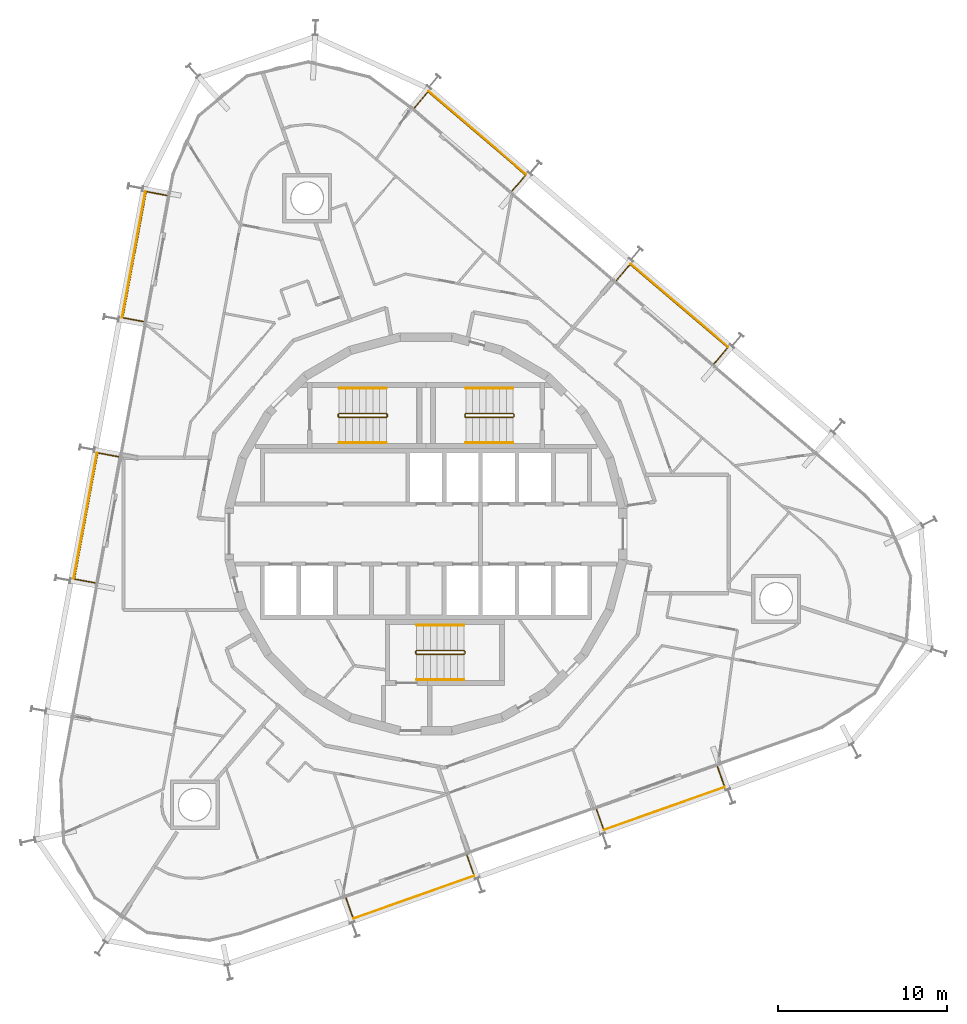
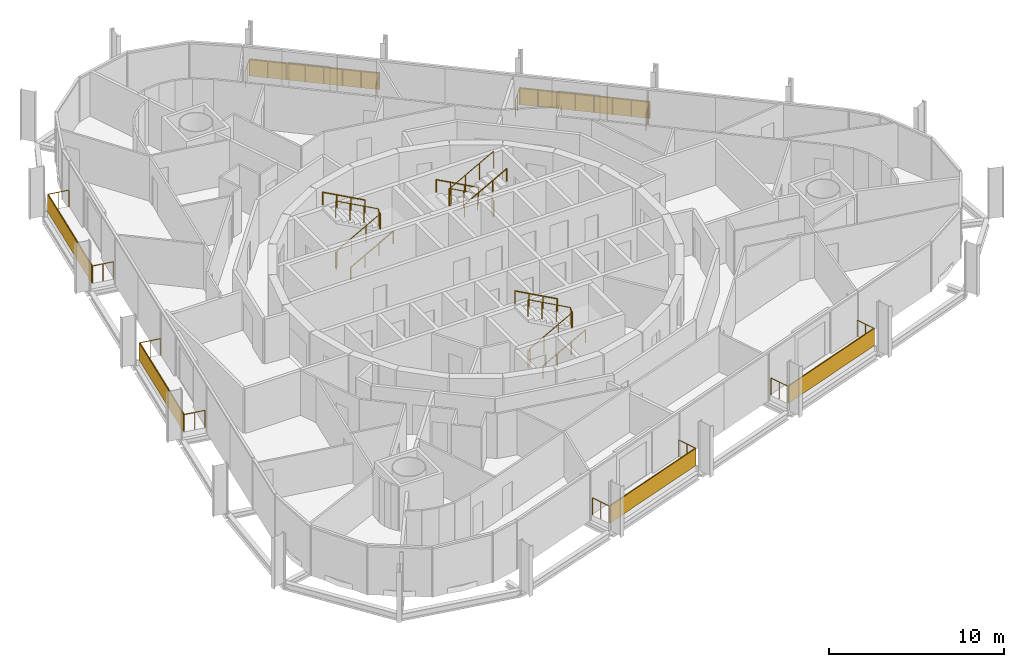
# One storey, part 17 of 17: 15 railings, 6 shading devices.
"""IFC4 building model written with IfcOpenShell, lengths in metres."""

from ifc_helpers import new_model, si_unit, direction, frame, origin, origin_2d, place, context, subcontext, project, spatial, rectangle, circle, extrude, material, layer, layer_set, type_object, element, save


model = new_model("IFC4")

# Units and contexts
model_context = context("Model", 3, precision=1e-05, world=origin(), true_north=direction((0.0, 1.0)))
body_context = subcontext(model_context, "Body", "Model", "MODEL_VIEW")
ifc_project = project(units=[si_unit("LENGTHUNIT", "METRE"), si_unit("AREAUNIT", "SQUARE_METRE"), si_unit("VOLUMEUNIT", "CUBIC_METRE"), si_unit("PLANEANGLEUNIT", "RADIAN"), si_unit("MASSUNIT", "GRAM", prefix="KILO")], contexts=[model_context])

# Site, building, storey
site_placement = place(None, origin())
site = spatial("IfcSite", under=ifc_project, at=site_placement, CompositionType="ELEMENT")
building_placement = place(site_placement, origin())
building = spatial("IfcBuilding", under=site, at=building_placement, Name="Spindle Arch Residences", CompositionType="ELEMENT")
storey_placement = place(building_placement, frame((0.0, 0.0, 158.699951171875)))
storey = spatial("IfcBuildingStorey", under=building, at=storey_placement, Name="L39", CompositionType="ELEMENT", Elevation=158.699951171875)

# Railings
ifc_material_1 = material(Name="Bronze anodised aluminium guard with glass infill", Category="aluminium")
railing_type_1 = type_object("IfcRailingType", Name="Balcony guard 1200", PredefinedType="GUARDRAIL", material=ifc_material_1)
railing_1_placement = place(storey_placement, frame((10.081787109375, -16.2919921875, 0.0)))
element("IfcRailing", 1, at=railing_1_placement, inside=storey, type_object=railing_type_1, Name="Guard L39 bay 1", PredefinedType="GUARDRAIL", context=body_context, shape_type="SweptSolid", body=[
    extrude(circle(Radius=0.02392578125, at=origin_2d()), frame((0.0, 0.0, 1.17578125), z_axis=(0.333749533427, -0.942661789263, 0.0), x_axis=(0.942661789263, 0.333749533427, 0.0)), (0.0, 0.0, 1.0), 1.250244140625),
    extrude(circle(Radius=0.02392578125, at=origin_2d()), frame((0.417236328125, -1.178466796875, 1.17578125), z_axis=(0.942639455571, 0.333812607313, 0.0), x_axis=(-0.333812607313, 0.942639455571, 0.0)), (0.0, 0.0, 1.0), 7.590087890625),
    extrude(circle(Radius=0.02392578125, at=origin_2d()), frame((7.572021484375, 1.355224609375, 1.17578125), z_axis=(-0.333984527886, 0.942578556478, 0.0), x_axis=(-0.942578556478, -0.333984527886, 0.0)), (0.0, 0.0, 1.0), 1.25),
    extrude(circle(Radius=0.02099609375, at=origin_2d()), origin(), (0.0, 0.0, 1.0), 1.15185546875),
    extrude(circle(Radius=0.02099609375, at=origin_2d()), frame((0.20849609375, -0.58935546875, 0.0)), (0.0, 0.0, 1.0), 1.15185546875),
    extrude(circle(Radius=0.02099609375, at=origin_2d()), frame((0.417236328125, -1.178466796875, 0.0)), (0.0, 0.0, 1.0), 1.15185546875),
    extrude(circle(Radius=0.02099609375, at=origin_2d()), frame((1.439453125, -0.81640625, 0.0)), (0.0, 0.0, 1.0), 1.15185546875),
    extrude(circle(Radius=0.02099609375, at=origin_2d()), frame((2.46142578125, -0.45458984375, 0.0)), (0.0, 0.0, 1.0), 1.15185546875),
    extrude(circle(Radius=0.02099609375, at=origin_2d()), frame((3.483642578125, -0.092529296875, 0.0)), (0.0, 0.0, 1.0), 1.15185546875),
    extrude(circle(Radius=0.02099609375, at=origin_2d()), frame((4.505615234375, 0.269287109375, 0.0)), (0.0, 0.0, 1.0), 1.15185546875),
    extrude(circle(Radius=0.02099609375, at=origin_2d()), frame((5.52783203125, 0.63134765625, 0.0)), (0.0, 0.0, 1.0), 1.15185546875),
    extrude(circle(Radius=0.02099609375, at=origin_2d()), frame((6.5498046875, 0.9931640625, 0.0)), (0.0, 0.0, 1.0), 1.15185546875),
    extrude(circle(Radius=0.02099609375, at=origin_2d()), frame((7.572021484375, 1.355224609375, 0.0)), (0.0, 0.0, 1.0), 1.15185546875),
    extrude(circle(Radius=0.02099609375, at=origin_2d()), frame((7.36328125, 1.9443359375, 0.0)), (0.0, 0.0, 1.0), 1.15185546875),
    extrude(circle(Radius=0.02099609375, at=origin_2d()), frame((7.154541015625, 2.533447265625, 0.0)), (0.0, 0.0, 1.0), 1.15185546875),
])
railing_2_placement = place(storey_placement, frame((17.03759765625, 10.07080078125, 0.0)))
element("IfcRailing", 2, at=railing_2_placement, inside=storey, type_object=railing_type_1, Name="Guard L39 bay 7", PredefinedType="GUARDRAIL", context=body_context, shape_type="SweptSolid", body=[
    extrude(circle(Radius=0.02392578125, at=origin_2d()), frame((0.0, 0.0, 1.17578125), z_axis=(0.64945526422, 0.760399802589, 0.0), x_axis=(-0.760399802589, 0.64945526422, 0.0)), (0.0, 0.0, 1.0), 1.25),
    extrude(circle(Radius=0.02392578125, at=origin_2d()), frame((0.811767578125, 0.950439453125, 1.17578125), z_axis=(-0.760397505333, 0.649457953899, 0.0), x_axis=(-0.649457953899, -0.760397505333, 0.0)), (0.0, 0.0, 1.0), 7.590087890625),
    extrude(circle(Radius=0.02392578125, at=origin_2d()), frame((-4.959716796875, 5.8798828125, 1.17578125), z_axis=(-0.64945526422, -0.760399802589, 0.0), x_axis=(0.760399802589, -0.64945526422, 0.0)), (0.0, 0.0, 1.0), 1.25),
    extrude(circle(Radius=0.02099609375, at=origin_2d()), origin(), (0.0, 0.0, 1.0), 1.15185546875),
    extrude(circle(Radius=0.02099609375, at=origin_2d()), frame((0.40576171875, 0.47509765625, 0.0)), (0.0, 0.0, 1.0), 1.15185546875),
    extrude(circle(Radius=0.02099609375, at=origin_2d()), frame((0.811767578125, 0.950439453125, 0.0)), (0.0, 0.0, 1.0), 1.15185546875),
    extrude(circle(Radius=0.02099609375, at=origin_2d()), frame((-0.0126953125, 1.654541015625, 0.0)), (0.0, 0.0, 1.0), 1.15185546875),
    extrude(circle(Radius=0.02099609375, at=origin_2d()), frame((-0.837158203125, 2.35888671875, 0.0)), (0.0, 0.0, 1.0), 1.15185546875),
    extrude(circle(Radius=0.02099609375, at=origin_2d()), frame((-1.66162109375, 3.06298828125, 0.0)), (0.0, 0.0, 1.0), 1.15185546875),
    extrude(circle(Radius=0.02099609375, at=origin_2d()), frame((-2.486328125, 3.767333984375, 0.0)), (0.0, 0.0, 1.0), 1.15185546875),
    extrude(circle(Radius=0.02099609375, at=origin_2d()), frame((-3.310791015625, 4.471435546875, 0.0)), (0.0, 0.0, 1.0), 1.15185546875),
    extrude(circle(Radius=0.02099609375, at=origin_2d()), frame((-4.13525390625, 5.17578125, 0.0)), (0.0, 0.0, 1.0), 1.15185546875),
    extrude(circle(Radius=0.02099609375, at=origin_2d()), frame((-4.959716796875, 5.8798828125, 0.0)), (0.0, 0.0, 1.0), 1.15185546875),
    extrude(circle(Radius=0.02099609375, at=origin_2d()), frame((-5.36572265625, 5.40478515625, 0.0)), (0.0, 0.0, 1.0), 1.15185546875),
    extrude(circle(Radius=0.02099609375, at=origin_2d()), frame((-5.771484375, 4.929443359375, 0.0)), (0.0, 0.0, 1.0), 1.15185546875),
])
railing_3_placement = place(storey_placement, frame((5.083984375, 20.2802734375, 0.0)))
element("IfcRailing", 3, at=railing_3_placement, inside=storey, type_object=railing_type_1, Name="Guard L39 bay 9", PredefinedType="GUARDRAIL", context=body_context, shape_type="SweptSolid", body=[
    extrude(circle(Radius=0.02392578125, at=origin_2d()), frame((0.0, 0.0, 1.17578125), z_axis=(0.64945526422, 0.760399802589, 0.0), x_axis=(-0.760399802589, 0.64945526422, 0.0)), (0.0, 0.0, 1.0), 1.25),
    extrude(circle(Radius=0.02392578125, at=origin_2d()), frame((0.811767578125, 0.950439453125, 1.17578125), z_axis=(-0.760397505333, 0.649457953899, 0.0), x_axis=(-0.649457953899, -0.760397505333, 0.0)), (0.0, 0.0, 1.0), 7.590087890625),
    extrude(circle(Radius=0.02392578125, at=origin_2d()), frame((-4.959716796875, 5.8798828125, 1.17578125), z_axis=(-0.649358812972, -0.760482170741, 0.0), x_axis=(0.760482170741, -0.649358812972, 0.0)), (0.0, 0.0, 1.0), 1.25),
    extrude(circle(Radius=0.02099609375, at=origin_2d()), origin(), (0.0, 0.0, 1.0), 1.15185546875),
    extrude(circle(Radius=0.02099609375, at=origin_2d()), frame((0.40576171875, 0.47509765625, 0.0)), (0.0, 0.0, 1.0), 1.15185546875),
    extrude(circle(Radius=0.02099609375, at=origin_2d()), frame((0.811767578125, 0.950439453125, 0.0)), (0.0, 0.0, 1.0), 1.15185546875),
    extrude(circle(Radius=0.02099609375, at=origin_2d()), frame((-0.0126953125, 1.654541015625, 0.0)), (0.0, 0.0, 1.0), 1.15185546875),
    extrude(circle(Radius=0.02099609375, at=origin_2d()), frame((-0.837158203125, 2.35888671875, 0.0)), (0.0, 0.0, 1.0), 1.15185546875),
    extrude(circle(Radius=0.02099609375, at=origin_2d()), frame((-1.66162109375, 3.06298828125, 0.0)), (0.0, 0.0, 1.0), 1.15185546875),
    extrude(circle(Radius=0.02099609375, at=origin_2d()), frame((-2.486328125, 3.767333984375, 0.0)), (0.0, 0.0, 1.0), 1.15185546875),
    extrude(circle(Radius=0.02099609375, at=origin_2d()), frame((-3.310791015625, 4.471435546875, 0.0)), (0.0, 0.0, 1.0), 1.15185546875),
    extrude(circle(Radius=0.02099609375, at=origin_2d()), frame((-4.13525390625, 5.17578125, 0.0)), (0.0, 0.0, 1.0), 1.15185546875),
    extrude(circle(Radius=0.02099609375, at=origin_2d()), frame((-4.959716796875, 5.8798828125, 0.0)), (0.0, 0.0, 1.0), 1.15185546875),
    extrude(circle(Radius=0.02099609375, at=origin_2d()), frame((-5.36572265625, 5.404541015625, 0.0)), (0.0, 0.0, 1.0), 1.15185546875),
    extrude(circle(Radius=0.02099609375, at=origin_2d()), frame((-5.771484375, 4.92919921875, 0.0)), (0.0, 0.0, 1.0), 1.15185546875),
])
railing_4_placement = place(storey_placement, frame((-15.33056640625, 20.024169921875, 0.0)))
element("IfcRailing", 4, at=railing_4_placement, inside=storey, type_object=railing_type_1, Name="Guard L39 bay 13", PredefinedType="GUARDRAIL", context=body_context, shape_type="SweptSolid", body=[
    extrude(circle(Radius=0.02392578125, at=origin_2d()), frame((0.0, 0.0, 1.17578125), z_axis=(-0.983254793894, 0.182236138797, 0.0), x_axis=(-0.182236138797, -0.983254793894, 0.0)), (0.0, 0.0, 1.0), 1.25),
    extrude(circle(Radius=0.02392578125, at=origin_2d()), frame((-1.22900390625, 0.227783203125, 1.17578125), z_axis=(-0.182252818169, -0.983251702398, 0.0), x_axis=(0.983251702398, -0.182252818169, 0.0)), (0.0, 0.0, 1.0), 7.590087890625),
    extrude(circle(Radius=0.02392578125, at=origin_2d()), frame((-2.6123046875, -7.235107421875, 1.17578125), z_axis=(0.983261278697, -0.182201146579, 0.0), x_axis=(0.182201146579, 0.983261278697, 0.0)), (0.0, 0.0, 1.0), 1.250244140625),
    extrude(circle(Radius=0.02099609375, at=origin_2d()), origin(), (0.0, 0.0, 1.0), 1.15185546875),
    extrude(circle(Radius=0.02099609375, at=origin_2d()), frame((-0.614501953125, 0.11376953125, 0.0)), (0.0, 0.0, 1.0), 1.15185546875),
    extrude(circle(Radius=0.02099609375, at=origin_2d()), frame((-1.22900390625, 0.227783203125, 0.0)), (0.0, 0.0, 1.0), 1.15185546875),
    extrude(circle(Radius=0.02099609375, at=origin_2d()), frame((-1.426513671875, -0.83837890625, 0.0)), (0.0, 0.0, 1.0), 1.15185546875),
    extrude(circle(Radius=0.02099609375, at=origin_2d()), frame((-1.624267578125, -1.904541015625, 0.0)), (0.0, 0.0, 1.0), 1.15185546875),
    extrude(circle(Radius=0.02099609375, at=origin_2d()), frame((-1.82177734375, -2.970703125, 0.0)), (0.0, 0.0, 1.0), 1.15185546875),
    extrude(circle(Radius=0.02099609375, at=origin_2d()), frame((-2.01953125, -4.03662109375, 0.0)), (0.0, 0.0, 1.0), 1.15185546875),
    extrude(circle(Radius=0.02099609375, at=origin_2d()), frame((-2.217041015625, -5.102783203125, 0.0)), (0.0, 0.0, 1.0), 1.15185546875),
    extrude(circle(Radius=0.02099609375, at=origin_2d()), frame((-2.414794921875, -6.1689453125, 0.0)), (0.0, 0.0, 1.0), 1.15185546875),
    extrude(circle(Radius=0.02099609375, at=origin_2d()), frame((-2.6123046875, -7.235107421875, 0.0)), (0.0, 0.0, 1.0), 1.15185546875),
    extrude(circle(Radius=0.02099609375, at=origin_2d()), frame((-1.99755859375, -7.34912109375, 0.0)), (0.0, 0.0, 1.0), 1.15185546875),
    extrude(circle(Radius=0.02099609375, at=origin_2d()), frame((-1.383056640625, -7.462890625, 0.0)), (0.0, 0.0, 1.0), 1.15185546875),
])
railing_5_placement = place(storey_placement, frame((-18.1953125, 4.5673828125, 0.0)))
element("IfcRailing", 5, at=railing_5_placement, inside=storey, type_object=railing_type_1, Name="Guard L39 bay 15", PredefinedType="GUARDRAIL", context=body_context, shape_type="SweptSolid", body=[
    extrude(circle(Radius=0.02392578125, at=origin_2d()), frame((0.0, 0.0, 1.17578125), z_axis=(-0.983254793894, 0.182236138797, 0.0), x_axis=(-0.182236138797, -0.983254793894, 0.0)), (0.0, 0.0, 1.0), 1.25),
    extrude(circle(Radius=0.02392578125, at=origin_2d()), frame((-1.22900390625, 0.227783203125, 1.17578125), z_axis=(-0.18224705418, -0.983252770778, 0.0), x_axis=(0.983252770778, -0.18224705418, 0.0)), (0.0, 0.0, 1.0), 7.59033203125),
    extrude(circle(Radius=0.02392578125, at=origin_2d()), frame((-2.6123046875, -7.2353515625, 1.17578125), z_axis=(0.983261278697, -0.182201146579, 0.0), x_axis=(0.182201146579, 0.983261278697, 0.0)), (0.0, 0.0, 1.0), 1.250244140625),
    extrude(circle(Radius=0.02099609375, at=origin_2d()), origin(), (0.0, 0.0, 1.0), 1.15185546875),
    extrude(circle(Radius=0.02099609375, at=origin_2d()), frame((-0.614501953125, 0.11376953125, 0.0)), (0.0, 0.0, 1.0), 1.15185546875),
    extrude(circle(Radius=0.02099609375, at=origin_2d()), frame((-1.22900390625, 0.227783203125, 0.0)), (0.0, 0.0, 1.0), 1.15185546875),
    extrude(circle(Radius=0.02099609375, at=origin_2d()), frame((-1.426513671875, -0.83837890625, 0.0)), (0.0, 0.0, 1.0), 1.15185546875),
    extrude(circle(Radius=0.02099609375, at=origin_2d()), frame((-1.624267578125, -1.904541015625, 0.0)), (0.0, 0.0, 1.0), 1.15185546875),
    extrude(circle(Radius=0.02099609375, at=origin_2d()), frame((-1.82177734375, -2.970703125, 0.0)), (0.0, 0.0, 1.0), 1.15185546875),
    extrude(circle(Radius=0.02099609375, at=origin_2d()), frame((-2.01953125, -4.036865234375, 0.0)), (0.0, 0.0, 1.0), 1.15185546875),
    extrude(circle(Radius=0.02099609375, at=origin_2d()), frame((-2.217041015625, -5.10302734375, 0.0)), (0.0, 0.0, 1.0), 1.15185546875),
    extrude(circle(Radius=0.02099609375, at=origin_2d()), frame((-2.414794921875, -6.169189453125, 0.0)), (0.0, 0.0, 1.0), 1.15185546875),
    extrude(circle(Radius=0.02099609375, at=origin_2d()), frame((-2.6123046875, -7.2353515625, 0.0)), (0.0, 0.0, 1.0), 1.15185546875),
    extrude(circle(Radius=0.02099609375, at=origin_2d()), frame((-1.99755859375, -7.34912109375, 0.0)), (0.0, 0.0, 1.0), 1.15185546875),
    extrude(circle(Radius=0.02099609375, at=origin_2d()), frame((-1.383056640625, -7.463134765625, 0.0)), (0.0, 0.0, 1.0), 1.15185546875),
])
railing_6_placement = place(storey_placement, frame((-4.73681640625, -21.53955078125, 0.0)))
element("IfcRailing", 6, at=railing_6_placement, inside=storey, type_object=railing_type_1, Name="Guard L39 bay 21", PredefinedType="GUARDRAIL", context=body_context, shape_type="SweptSolid", body=[
    extrude(circle(Radius=0.02392578125, at=origin_2d()), frame((0.0, 0.0, 1.17578125), z_axis=(0.333810984592, -0.942640030216, 0.0), x_axis=(0.942640030216, 0.333810984592, 0.0)), (0.0, 0.0, 1.0), 1.25),
    extrude(circle(Radius=0.02392578125, at=origin_2d()), frame((0.417236328125, -1.17822265625, 1.17578125), z_axis=(0.942649576572, 0.333784025663, 0.0), x_axis=(-0.333784025663, 0.942649576572, 0.0)), (0.0, 0.0, 1.0), 7.590087890625),
    extrude(circle(Radius=0.02392578125, at=origin_2d()), frame((7.572021484375, 1.355224609375, 1.17578125), z_axis=(-0.333749533427, 0.942661789263, 0.0), x_axis=(-0.942661789263, -0.333749533427, 0.0)), (0.0, 0.0, 1.0), 1.250244140625),
    extrude(circle(Radius=0.02099609375, at=origin_2d()), origin(), (0.0, 0.0, 1.0), 1.15185546875),
    extrude(circle(Radius=0.02099609375, at=origin_2d()), frame((0.20849609375, -0.589111328125, 0.0)), (0.0, 0.0, 1.0), 1.15185546875),
    extrude(circle(Radius=0.02099609375, at=origin_2d()), frame((0.417236328125, -1.17822265625, 0.0)), (0.0, 0.0, 1.0), 1.15185546875),
    extrude(circle(Radius=0.02099609375, at=origin_2d()), frame((1.439453125, -0.81640625, 0.0)), (0.0, 0.0, 1.0), 1.15185546875),
    extrude(circle(Radius=0.02099609375, at=origin_2d()), frame((2.46142578125, -0.454345703125, 0.0)), (0.0, 0.0, 1.0), 1.15185546875),
    extrude(circle(Radius=0.02099609375, at=origin_2d()), frame((3.483642578125, -0.092529296875, 0.0)), (0.0, 0.0, 1.0), 1.15185546875),
    extrude(circle(Radius=0.02099609375, at=origin_2d()), frame((4.505615234375, 0.26953125, 0.0)), (0.0, 0.0, 1.0), 1.15185546875),
    extrude(circle(Radius=0.02099609375, at=origin_2d()), frame((5.52783203125, 0.63134765625, 0.0)), (0.0, 0.0, 1.0), 1.15185546875),
    extrude(circle(Radius=0.02099609375, at=origin_2d()), frame((6.5498046875, 0.993408203125, 0.0)), (0.0, 0.0, 1.0), 1.15185546875),
    extrude(circle(Radius=0.02099609375, at=origin_2d()), frame((7.572021484375, 1.355224609375, 0.0)), (0.0, 0.0, 1.0), 1.15185546875),
    extrude(circle(Radius=0.02099609375, at=origin_2d()), frame((7.36328125, 1.9443359375, 0.0)), (0.0, 0.0, 1.0), 1.15185546875),
    extrude(circle(Radius=0.02099609375, at=origin_2d()), frame((7.15478515625, 2.53369140625, 0.0)), (0.0, 0.0, 1.0), 1.15185546875),
])

# Shading devices
ifc_material_2 = material(Name="Bronze perforated cobogo screen")
ifc_layer = layer(ifc_material_2, 0.0390625)
ifc_layer_set = layer_set([ifc_layer], Name="Cobogo screen 1200")
shading_device_type = type_object("IfcShadingDeviceType", Name="Cobogo screen 1200", PredefinedType="USERDEFINED", material=ifc_layer_set)
for number, where, z_axis, x_axis, name in (
    (7, (14.08984375, -16.24169921875, 0.0), (0.0, 0.0, 1.0), (0.942641491092, 0.333806859234, 0.0), "Cobogo screen L39 bay 1"),
    (8, (14.989990234375, 13.516845703125, 0.0), (0.0, 0.0, 1.0), (-0.7604059656, 0.64944804833, 0.0), "Cobogo screen L39 bay 7"),
    (9, (3.036376953125, 23.726318359375, 0.0), (0.0, 0.0, 1.0), (-0.7604059656, 0.64944804833, 0.0), "Cobogo screen L39 bay 9"),
    (10, (-17.291015625, 16.52783203125, 0.0), (0.0, 0.0, 1.0), (-0.182235525492, -0.983254907564, 0.0), "Cobogo screen L39 bay 13"),
    (11, (-20.15576171875, 1.071044921875, 0.0), (0.0, 0.0, 1.0), (-0.182235525492, -0.983254907564, 0.0), "Cobogo screen L39 bay 15"),
    (12, (-0.728515625, -21.4892578125, 0.0), (0.0, 0.0, 1.0), (0.942641491092, 0.333806859234, 0.0), "Cobogo screen L39 bay 21"),
):
    element("IfcShadingDevice", number, at=place(storey_placement, frame(where, z_axis=z_axis, x_axis=x_axis)), inside=storey, type_object=shading_device_type, Name=name, ObjectType="SCREEN", PredefinedType="USERDEFINED", context=body_context, shape_type="SweptSolid", body=[
        extrude(rectangle(XDim=7.590087890625, YDim=0.0390625, at=origin_2d()), origin(), (0.0, 0.0, 1.0), 1.199951171875),
    ])

# Railings
ifc_material_3 = material(Name="Steel, painted", Category="steel")
railing_type_2 = type_object("IfcRailingType", Name="Stair guard 1100", PredefinedType="GUARDRAIL", material=ifc_material_3)
railing_7_placement = place(storey_placement, frame((5.14990234375, 6.89990234375, 3.5)))
element("IfcRailing", 13, at=railing_7_placement, inside=storey, type_object=railing_type_2, Name="L39 ST1 stair guard 1", PredefinedType="GUARDRAIL", context=body_context, shape_type="SweptSolid", body=[
    extrude(circle(Radius=0.02392578125, at=origin_2d()), frame((0.0, 0.0, 1.17578125), z_axis=(-0.877357048833, 0.0, -0.479838106931), x_axis=(0.0, -1.0, 0.0)), (0.0, 0.0, 1.0), 3.191162109375),
    extrude(circle(Radius=0.02392578125, at=origin_2d()), frame((-2.7998046875, 0.0, -0.35546875), z_axis=(-0.217683172539, 0.217683172539, -0.951434744366), x_axis=(-0.707106781187, -0.707106781187, 0.0)), (0.0, 0.0, 1.0), 0.22998046875),
    extrude(circle(Radius=0.02392578125, at=origin_2d()), frame((-2.849853515625, 0.050048828125, -0.57421875), z_axis=(0.0, 1.0, 0.0), x_axis=(-1.0, 0.0, 0.0)), (0.0, 0.0, 1.0), 0.1201171875),
    extrude(circle(Radius=0.02392578125, at=origin_2d()), frame((-2.849853515625, 0.170166015625, -0.57421875), z_axis=(0.707106781187, 0.707106781187, 0.0), x_axis=(-0.707106781187, 0.707106781187, 0.0)), (0.0, 0.0, 1.0), 0.07080078125),
    extrude(circle(Radius=0.02392578125, at=origin_2d()), frame((-2.7998046875, 0.22021484375, -0.57421875), z_axis=(0.877357048833, 0.0, -0.479838106931), x_axis=(0.0, 1.0, 0.0)), (0.0, 0.0, 1.0), 3.191162109375),
    extrude(circle(Radius=0.02392578125, at=origin_2d()), frame((0.0, 0.22021484375, -2.10546875), z_axis=(0.217683172539, -0.217683172539, -0.951434744366), x_axis=(0.707106781187, 0.707106781187, 0.0)), (0.0, 0.0, 1.0), 0.22998046875),
    extrude(circle(Radius=0.02392578125, at=origin_2d()), frame((0.050048828125, 0.170166015625, -2.32421875), z_axis=(0.0, -1.0, 0.0), x_axis=(1.0, 0.0, 0.0)), (0.0, 0.0, 1.0), 0.1201171875),
    extrude(circle(Radius=0.02099609375, at=origin_2d()), origin(), (0.0, 0.0, 1.0), 1.15185546875),
    extrude(circle(Radius=0.02099609375, at=origin_2d()), frame((-0.933349609375, 0.0, -0.510498046875)), (0.0, 0.0, 1.0), 1.15185546875),
    extrude(circle(Radius=0.02099609375, at=origin_2d()), frame((-1.866455078125, 0.0, -1.020751953125)), (0.0, 0.0, 1.0), 1.15185546875),
    extrude(circle(Radius=0.02099609375, at=origin_2d()), frame((-2.7998046875, 0.0, -1.53125)), (0.0, 0.0, 1.0), 1.15185546875),
    extrude(circle(Radius=0.02099609375, at=origin_2d()), frame((-2.849853515625, 0.050048828125, -1.75)), (0.0, 0.0, 1.0), 1.15185546875),
    extrude(circle(Radius=0.02099609375, at=origin_2d()), frame((-2.849853515625, 0.170166015625, -1.75)), (0.0, 0.0, 1.0), 1.15185546875),
    extrude(circle(Radius=0.02099609375, at=origin_2d()), frame((-2.7998046875, 0.22021484375, -1.75)), (0.0, 0.0, 1.0), 1.15185546875),
    extrude(circle(Radius=0.02099609375, at=origin_2d()), frame((-1.866455078125, 0.22021484375, -2.260498046875)), (0.0, 0.0, 1.0), 1.15185546875),
    extrude(circle(Radius=0.02099609375, at=origin_2d()), frame((-0.933349609375, 0.22021484375, -2.770751953125)), (0.0, 0.0, 1.0), 1.15185546875),
    extrude(circle(Radius=0.02099609375, at=origin_2d()), frame((0.0, 0.22021484375, -3.28125)), (0.0, 0.0, 1.0), 1.15185546875),
    extrude(circle(Radius=0.02099609375, at=origin_2d()), frame((0.050048828125, 0.170166015625, -3.5)), (0.0, 0.0, 1.0), 1.15185546875),
    extrude(circle(Radius=0.02099609375, at=origin_2d()), frame((0.050048828125, 0.050048828125, -3.5)), (0.0, 0.0, 1.0), 1.15185546875),
])
railing_8_placement = place(storey_placement, frame((-5.14990234375, 7.1201171875, 3.5)))
element("IfcRailing", 14, at=railing_8_placement, inside=storey, type_object=railing_type_2, Name="L39 ST2 stair guard 1", PredefinedType="GUARDRAIL", context=body_context, shape_type="SweptSolid", body=[
    extrude(circle(Radius=0.02392578125, at=origin_2d()), frame((0.0, 0.0, 1.17578125), z_axis=(0.877357048833, 0.0, -0.479838106931), x_axis=(0.0, 1.0, 0.0)), (0.0, 0.0, 1.0), 3.191162109375),
    extrude(circle(Radius=0.02392578125, at=origin_2d()), frame((2.7998046875, 0.0, -0.35546875), z_axis=(0.217683172539, -0.217683172539, -0.951434744366), x_axis=(0.707106781187, 0.707106781187, 0.0)), (0.0, 0.0, 1.0), 0.22998046875),
    extrude(circle(Radius=0.02392578125, at=origin_2d()), frame((2.849853515625, -0.050048828125, -0.57421875), z_axis=(0.0, -1.0, 0.0), x_axis=(1.0, 0.0, 0.0)), (0.0, 0.0, 1.0), 0.1201171875),
    extrude(circle(Radius=0.02392578125, at=origin_2d()), frame((2.849853515625, -0.170166015625, -0.57421875), z_axis=(-0.707106781187, -0.707106781187, 0.0), x_axis=(0.707106781187, -0.707106781187, 0.0)), (0.0, 0.0, 1.0), 0.07080078125),
    extrude(circle(Radius=0.02392578125, at=origin_2d()), frame((2.7998046875, -0.22021484375, -0.57421875), z_axis=(-0.877357048833, 0.0, -0.479838106931), x_axis=(0.0, -1.0, 0.0)), (0.0, 0.0, 1.0), 3.191162109375),
    extrude(circle(Radius=0.02392578125, at=origin_2d()), frame((0.0, -0.22021484375, -2.10546875), z_axis=(-0.217683172539, 0.217683172539, -0.951434744366), x_axis=(-0.707106781187, -0.707106781187, 0.0)), (0.0, 0.0, 1.0), 0.22998046875),
    extrude(circle(Radius=0.02392578125, at=origin_2d()), frame((-0.050048828125, -0.170166015625, -2.32421875), z_axis=(0.0, 1.0, 0.0), x_axis=(-1.0, 0.0, 0.0)), (0.0, 0.0, 1.0), 0.1201171875),
    extrude(circle(Radius=0.02099609375, at=origin_2d()), origin(), (0.0, 0.0, 1.0), 1.15185546875),
    extrude(circle(Radius=0.02099609375, at=origin_2d()), frame((0.933349609375, 0.0, -0.510498046875)), (0.0, 0.0, 1.0), 1.15185546875),
    extrude(circle(Radius=0.02099609375, at=origin_2d()), frame((1.866455078125, 0.0, -1.020751953125)), (0.0, 0.0, 1.0), 1.15185546875),
    extrude(circle(Radius=0.02099609375, at=origin_2d()), frame((2.7998046875, 0.0, -1.53125)), (0.0, 0.0, 1.0), 1.15185546875),
    extrude(circle(Radius=0.02099609375, at=origin_2d()), frame((2.849853515625, -0.050048828125, -1.75)), (0.0, 0.0, 1.0), 1.15185546875),
    extrude(circle(Radius=0.02099609375, at=origin_2d()), frame((2.849853515625, -0.170166015625, -1.75)), (0.0, 0.0, 1.0), 1.15185546875),
    extrude(circle(Radius=0.02099609375, at=origin_2d()), frame((2.7998046875, -0.22021484375, -1.75)), (0.0, 0.0, 1.0), 1.15185546875),
    extrude(circle(Radius=0.02099609375, at=origin_2d()), frame((1.866455078125, -0.22021484375, -2.260498046875)), (0.0, 0.0, 1.0), 1.15185546875),
    extrude(circle(Radius=0.02099609375, at=origin_2d()), frame((0.933349609375, -0.22021484375, -2.770751953125)), (0.0, 0.0, 1.0), 1.15185546875),
    extrude(circle(Radius=0.02099609375, at=origin_2d()), frame((0.0, -0.22021484375, -3.28125)), (0.0, 0.0, 1.0), 1.15185546875),
    extrude(circle(Radius=0.02099609375, at=origin_2d()), frame((-0.050048828125, -0.170166015625, -3.5)), (0.0, 0.0, 1.0), 1.15185546875),
    extrude(circle(Radius=0.02099609375, at=origin_2d()), frame((-0.050048828125, -0.050048828125, -3.5)), (0.0, 0.0, 1.0), 1.15185546875),
])
railing_9_placement = place(storey_placement, frame((-0.550048828125, -6.89990234375, 3.5)))
element("IfcRailing", 15, at=railing_9_placement, inside=storey, type_object=railing_type_2, Name="L39 ST3 stair guard 1", PredefinedType="GUARDRAIL", context=body_context, shape_type="SweptSolid", body=[
    extrude(circle(Radius=0.02392578125, at=origin_2d()), frame((0.0, 0.0, 1.17578125), z_axis=(0.877374661878, 0.0, -0.479805901063), x_axis=(0.0, 1.0, 0.0)), (0.0, 0.0, 1.0), 3.19140625),
    extrude(circle(Radius=0.02392578125, at=origin_2d()), frame((2.800048828125, 0.0, -0.35546875), z_axis=(0.217683172539, -0.217683172539, -0.951434744366), x_axis=(0.707106781187, 0.707106781187, 0.0)), (0.0, 0.0, 1.0), 0.22998046875),
    extrude(circle(Radius=0.02392578125, at=origin_2d()), frame((2.85009765625, -0.050048828125, -0.57421875), z_axis=(0.0, -1.0, 0.0), x_axis=(1.0, 0.0, 0.0)), (0.0, 0.0, 1.0), 0.1201171875),
    extrude(circle(Radius=0.02392578125, at=origin_2d()), frame((2.85009765625, -0.170166015625, -0.57421875), z_axis=(-0.707106781187, -0.707106781187, 0.0), x_axis=(0.707106781187, -0.707106781187, 0.0)), (0.0, 0.0, 1.0), 0.07080078125),
    extrude(circle(Radius=0.02392578125, at=origin_2d()), frame((2.800048828125, -0.22021484375, -0.57421875), z_axis=(-0.877374661878, 0.0, -0.479805901063), x_axis=(0.0, -1.0, 0.0)), (0.0, 0.0, 1.0), 3.19140625),
    extrude(circle(Radius=0.02392578125, at=origin_2d()), frame((0.0, -0.22021484375, -2.10546875), z_axis=(-0.217683172539, 0.217683172539, -0.951434744366), x_axis=(-0.707106781187, -0.707106781187, 0.0)), (0.0, 0.0, 1.0), 0.22998046875),
    extrude(circle(Radius=0.02392578125, at=origin_2d()), frame((-0.050048828125, -0.170166015625, -2.32421875), z_axis=(0.0, 1.0, 0.0), x_axis=(-1.0, 0.0, 0.0)), (0.0, 0.0, 1.0), 0.1201171875),
    extrude(circle(Radius=0.02099609375, at=origin_2d()), origin(), (0.0, 0.0, 1.0), 1.15185546875),
    extrude(circle(Radius=0.02099609375, at=origin_2d()), frame((0.933349609375, 0.0, -0.510498046875)), (0.0, 0.0, 1.0), 1.15185546875),
    extrude(circle(Radius=0.02099609375, at=origin_2d()), frame((1.86669921875, 0.0, -1.020751953125)), (0.0, 0.0, 1.0), 1.15185546875),
    extrude(circle(Radius=0.02099609375, at=origin_2d()), frame((2.800048828125, 0.0, -1.53125)), (0.0, 0.0, 1.0), 1.15185546875),
    extrude(circle(Radius=0.02099609375, at=origin_2d()), frame((2.85009765625, -0.050048828125, -1.75)), (0.0, 0.0, 1.0), 1.15185546875),
    extrude(circle(Radius=0.02099609375, at=origin_2d()), frame((2.85009765625, -0.170166015625, -1.75)), (0.0, 0.0, 1.0), 1.15185546875),
    extrude(circle(Radius=0.02099609375, at=origin_2d()), frame((2.800048828125, -0.22021484375, -1.75)), (0.0, 0.0, 1.0), 1.15185546875),
    extrude(circle(Radius=0.02099609375, at=origin_2d()), frame((1.86669921875, -0.22021484375, -2.260498046875)), (0.0, 0.0, 1.0), 1.15185546875),
    extrude(circle(Radius=0.02099609375, at=origin_2d()), frame((0.933349609375, -0.22021484375, -2.770751953125)), (0.0, 0.0, 1.0), 1.15185546875),
    extrude(circle(Radius=0.02099609375, at=origin_2d()), frame((0.0, -0.22021484375, -3.28125)), (0.0, 0.0, 1.0), 1.15185546875),
    extrude(circle(Radius=0.02099609375, at=origin_2d()), frame((-0.050048828125, -0.170166015625, -3.5)), (0.0, 0.0, 1.0), 1.15185546875),
    extrude(circle(Radius=0.02099609375, at=origin_2d()), frame((-0.050048828125, -0.050048828125, -3.5)), (0.0, 0.0, 1.0), 1.15185546875),
])
ifc_material_4 = material(Name="Steel, painted", Category="steel")
railing_type_3 = type_object("IfcRailingType", Name="Stair handrail 900", PredefinedType="HANDRAIL", material=ifc_material_4)
railing_10_placement = place(storey_placement, frame((5.14990234375, 8.6201171875, 0.21875)))
element("IfcRailing", 16, at=railing_10_placement, inside=storey, type_object=railing_type_3, Name="L39 ST1 stair handrail 1", PredefinedType="HANDRAIL", context=body_context, shape_type="SweptSolid", body=[
    extrude(circle(Radius=0.02392578125, at=origin_2d()), frame((0.0, 0.0, 0.8759765625), z_axis=(-0.877357048833, 0.0, 0.479838106931), x_axis=(0.0, -1.0, 0.0)), (0.0, 0.0, 1.0), 3.191162109375),
    extrude(circle(Radius=0.02099609375, at=origin_2d()), origin(), (0.0, 0.0, 1.0), 0.851806640625),
    extrude(circle(Radius=0.02099609375, at=origin_2d()), frame((-0.933349609375, 0.0, 0.510498046875)), (0.0, 0.0, 1.0), 0.851806640625),
    extrude(circle(Radius=0.02099609375, at=origin_2d()), frame((-1.866455078125, 0.0, 1.020751953125)), (0.0, 0.0, 1.0), 0.851806640625),
    extrude(circle(Radius=0.02099609375, at=origin_2d()), frame((-2.7998046875, 0.0, 1.53125)), (0.0, 0.0, 1.0), 0.851806640625),
])
for number, where, name in (
    (17, (2.35009765625, 5.39990234375, 1.96875), "L39 ST1 stair handrail 2"),
    (18, (-5.14990234375, 5.39990234375, 0.21875), "L39 ST2 stair handrail 1"),
):
    element("IfcRailing", number, at=place(storey_placement, frame(where)), inside=storey, type_object=railing_type_3, Name=name, PredefinedType="HANDRAIL", context=body_context, shape_type="SweptSolid", body=[
        extrude(circle(Radius=0.02392578125, at=origin_2d()), frame((0.0, 0.0, 0.8759765625), z_axis=(0.877357048833, 0.0, 0.479838106931), x_axis=(0.0, 1.0, 0.0)), (0.0, 0.0, 1.0), 3.191162109375),
        extrude(circle(Radius=0.02099609375, at=origin_2d()), origin(), (0.0, 0.0, 1.0), 0.851806640625),
        extrude(circle(Radius=0.02099609375, at=origin_2d()), frame((0.933349609375, 0.0, 0.510498046875)), (0.0, 0.0, 1.0), 0.851806640625),
        extrude(circle(Radius=0.02099609375, at=origin_2d()), frame((1.866455078125, 0.0, 1.020751953125)), (0.0, 0.0, 1.0), 0.851806640625),
        extrude(circle(Radius=0.02099609375, at=origin_2d()), frame((2.7998046875, 0.0, 1.53125)), (0.0, 0.0, 1.0), 0.851806640625),
    ])
railing_11_placement = place(storey_placement, frame((-2.35009765625, 8.6201171875, 1.96875)))
element("IfcRailing", 19, at=railing_11_placement, inside=storey, type_object=railing_type_3, Name="L39 ST2 stair handrail 2", PredefinedType="HANDRAIL", context=body_context, shape_type="SweptSolid", body=[
    extrude(circle(Radius=0.02392578125, at=origin_2d()), frame((0.0, 0.0, 0.8759765625), z_axis=(-0.877357048833, 0.0, 0.479838106931), x_axis=(0.0, -1.0, 0.0)), (0.0, 0.0, 1.0), 3.191162109375),
    extrude(circle(Radius=0.02099609375, at=origin_2d()), origin(), (0.0, 0.0, 1.0), 0.851806640625),
    extrude(circle(Radius=0.02099609375, at=origin_2d()), frame((-0.933349609375, 0.0, 0.510498046875)), (0.0, 0.0, 1.0), 0.851806640625),
    extrude(circle(Radius=0.02099609375, at=origin_2d()), frame((-1.866455078125, 0.0, 1.020751953125)), (0.0, 0.0, 1.0), 0.851806640625),
    extrude(circle(Radius=0.02099609375, at=origin_2d()), frame((-2.7998046875, 0.0, 1.53125)), (0.0, 0.0, 1.0), 0.851806640625),
])
railing_12_placement = place(storey_placement, frame((-0.550048828125, -8.6201171875, 0.21875)))
element("IfcRailing", 20, at=railing_12_placement, inside=storey, type_object=railing_type_3, Name="L39 ST3 stair handrail 1", PredefinedType="HANDRAIL", context=body_context, shape_type="SweptSolid", body=[
    extrude(circle(Radius=0.02392578125, at=origin_2d()), frame((0.0, 0.0, 0.8759765625), z_axis=(0.877374661878, 0.0, 0.479805901063), x_axis=(0.0, 1.0, 0.0)), (0.0, 0.0, 1.0), 3.19140625),
    extrude(circle(Radius=0.02099609375, at=origin_2d()), origin(), (0.0, 0.0, 1.0), 0.851806640625),
    extrude(circle(Radius=0.02099609375, at=origin_2d()), frame((0.933349609375, 0.0, 0.510498046875)), (0.0, 0.0, 1.0), 0.851806640625),
    extrude(circle(Radius=0.02099609375, at=origin_2d()), frame((1.86669921875, 0.0, 1.020751953125)), (0.0, 0.0, 1.0), 0.851806640625),
    extrude(circle(Radius=0.02099609375, at=origin_2d()), frame((2.800048828125, 0.0, 1.53125)), (0.0, 0.0, 1.0), 0.851806640625),
])
railing_13_placement = place(storey_placement, frame((2.25, -5.39990234375, 1.96875)))
element("IfcRailing", 21, at=railing_13_placement, inside=storey, type_object=railing_type_3, Name="L39 ST3 stair handrail 2", PredefinedType="HANDRAIL", context=body_context, shape_type="SweptSolid", body=[
    extrude(circle(Radius=0.02392578125, at=origin_2d()), frame((0.0, 0.0, 0.8759765625), z_axis=(-0.877374661878, 0.0, 0.479805901063), x_axis=(0.0, -1.0, 0.0)), (0.0, 0.0, 1.0), 3.19140625),
    extrude(circle(Radius=0.02099609375, at=origin_2d()), origin(), (0.0, 0.0, 1.0), 0.851806640625),
    extrude(circle(Radius=0.02099609375, at=origin_2d()), frame((-0.933349609375, 0.0, 0.510498046875)), (0.0, 0.0, 1.0), 0.851806640625),
    extrude(circle(Radius=0.02099609375, at=origin_2d()), frame((-1.86669921875, 0.0, 1.020751953125)), (0.0, 0.0, 1.0), 0.851806640625),
    extrude(circle(Radius=0.02099609375, at=origin_2d()), frame((-2.800048828125, 0.0, 1.53125)), (0.0, 0.0, 1.0), 0.851806640625),
])

save(model, "model.ifc")
